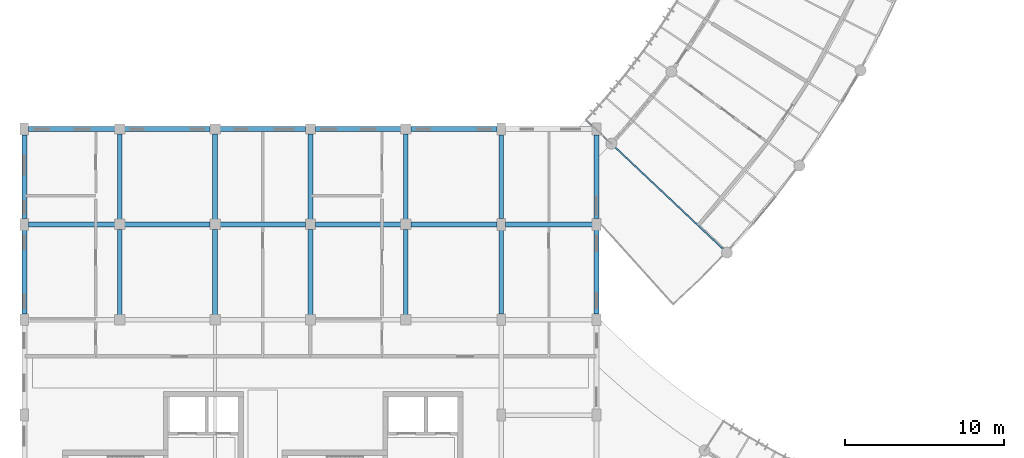
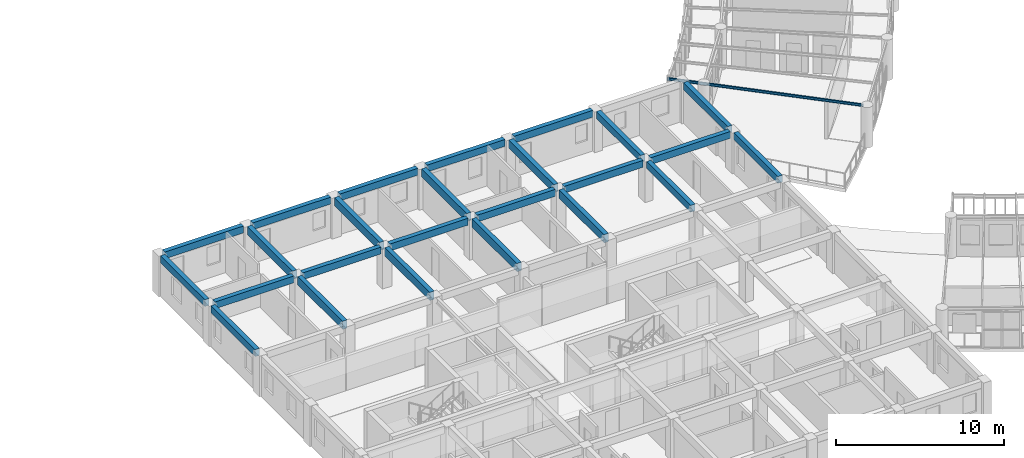
# One storey, part 9 of 123: 26 beams.
"""IFC4 building model written with IfcOpenShell, lengths in metres."""

import ifcopenshell
import ifcopenshell.guid

model = None  # the IFC model being written
_history = None  # IfcOwnerHistory: only IFC2X3 demands one
_inside = {}  # id of a spatial element -> (the spatial element, [elements in it])
_under = {}  # id of a project, library or spatial element -> (it, [spatial elements below it])
_declared = {}  # id of a project -> (the project, [libraries it declares])
_typed = {}  # id of a type object -> (the type object, [elements of that type])
_made_of = {}  # id of a material, layer set ... -> (it, [elements and type objects made of it])


def new_model(schema):
    """Start an empty IFC model of exactly this schema.

    Asked for "IFC4X3", IfcOpenShell would pick the latest addendum, in which some entities
    have other attributes; the version numbers below select the first issue.
    IFC2X3 requires an IfcOwnerHistory on every rooted entity: one is made here for all.
    """
    global model, _history
    if schema == "IFC4X3":
        model = ifcopenshell.file(schema_version=(4, 3, 0, 0))
    else:
        model = ifcopenshell.file(schema=schema)
    _inside.clear()
    _under.clear()
    _declared.clear()
    _typed.clear()
    _made_of.clear()
    _history = None
    if model.schema == "IFC2X3":
        org = make("IfcOrganization", Name="unknown")
        user = make(
            "IfcPersonAndOrganization",
            ThePerson=make("IfcPerson", FamilyName="unknown"),
            TheOrganization=org,
        )
        app = make(
            "IfcApplication",
            ApplicationDeveloper=org,
            Version="unknown",
            ApplicationFullName="unknown",
            ApplicationIdentifier="unknown",
        )
        _history = make(
            "IfcOwnerHistory",
            OwningUser=user,
            OwningApplication=app,
            ChangeAction="ADDED",
            CreationDate=0,
        )
    return model


def make(cls, **values):
    """One entity of the class cls with the attributes given. An attribute that is None is left unset."""
    return model.create_entity(
        cls, **{name: value for name, value in values.items() if value is not None}
    )


def rooted(cls, **values):
    """An entity with a GlobalId (a new one), such as an element, a storey or a relation."""
    return make(cls, GlobalId=ifcopenshell.guid.new(), OwnerHistory=_history, **values)


def si_unit(unit_type, name, prefix=None):
    """IfcSIUnit, for example si_unit("LENGTHUNIT", "METRE", prefix="MILLI")."""
    return make("IfcSIUnit", UnitType=unit_type, Prefix=prefix, Name=name)


def assignment(units):
    """IfcUnitAssignment: the units of a project."""
    return None if units is None else make("IfcUnitAssignment", Units=units)


def point(xyz):
    """IfcCartesianPoint."""
    return None if xyz is None else make("IfcCartesianPoint", Coordinates=xyz)


def direction(xyz):
    """IfcDirection."""
    return None if xyz is None else make("IfcDirection", DirectionRatios=xyz)


def frame(location, z_axis=None, x_axis=None):
    """IfcAxis2Placement3D, a coordinate frame: its origin and axes. An axis left out is left unset."""
    return make(
        "IfcAxis2Placement3D",
        Location=point(location),
        Axis=direction(z_axis),
        RefDirection=direction(x_axis),
    )


def frame_2d(location, x_axis=None):
    """IfcAxis2Placement2D, a coordinate frame in the plane: its origin and x axis."""
    return make(
        "IfcAxis2Placement2D", Location=point(location), RefDirection=direction(x_axis)
    )


def origin():
    """The frame at (0, 0, 0) with its axes left unset."""
    return frame((0.0, 0.0, 0.0))


def origin_2d():
    """The frame at (0, 0) in the plane with its x axis left unset."""
    return frame_2d((0.0, 0.0))


def place(relative_to, where):
    """IfcLocalPlacement: puts the frame where relative to a parent placement (None: the world)."""
    return make(
        "IfcLocalPlacement", PlacementRelTo=relative_to, RelativePlacement=where
    )


def context(
    kind, dimensions, precision=None, world=None, true_north=None, identifier=None
):
    """IfcGeometricRepresentationContext, for example the 3D "Model" context."""
    return make(
        "IfcGeometricRepresentationContext",
        ContextIdentifier=identifier,
        ContextType=kind,
        CoordinateSpaceDimension=dimensions,
        Precision=precision,
        WorldCoordinateSystem=world,
        TrueNorth=true_north,
    )


def subcontext(parent, identifier, kind, view, scale=None):
    """IfcGeometricRepresentationSubContext, for example "Body" below "Model"."""
    return make(
        "IfcGeometricRepresentationSubContext",
        ContextIdentifier=identifier,
        ContextType=kind,
        ParentContext=parent,
        TargetScale=scale,
        TargetView=view,
    )


def project(units=None, contexts=None):
    """IfcProject with its units and contexts."""
    return rooted(
        "IfcProject",
        Name="project",
        RepresentationContexts=contexts,
        UnitsInContext=assignment(units),
    )


def spatial(cls, under=None, at=None, **own):
    """A site, building, storey or space (cls), placed at a placement, below another one or the project."""
    s = rooted(cls, ObjectPlacement=at, **own)
    if under is not None:
        _under.setdefault(under.id(), (under, []))[1].append(s)
    return s


def profile(cls, at=None, kind="AREA", **sizes):
    """A parametric profile (cls). Its sizes go by their IFC names, for example OverallWidth=200.0."""
    return make(cls, ProfileType=kind, Position=at, **sizes)


def rectangle(**sizes):
    """IfcRectangleProfileDef."""
    return profile("IfcRectangleProfileDef", **sizes)


def i_section(**sizes):
    """IfcIShapeProfileDef."""
    return profile("IfcIShapeProfileDef", **sizes)


def extrude(swept, where, along, depth):
    """IfcExtrudedAreaSolid: the profile swept, set in the frame where, extruded along a direction by depth."""
    return make(
        "IfcExtrudedAreaSolid",
        SweptArea=swept,
        Position=where,
        ExtrudedDirection=direction(along),
        Depth=depth,
    )


def shape(context_of_items, identifier, shape_type, items):
    """IfcShapeRepresentation: the items that make up one representation, for example the "Body"."""
    return make(
        "IfcShapeRepresentation",
        ContextOfItems=context_of_items,
        RepresentationIdentifier=identifier,
        RepresentationType=shape_type,
        Items=items,
    )


def material(Name=None, Category=None):
    """IfcMaterial."""
    return make("IfcMaterial", Name=Name, Category=Category)


def material_profile(
    of_material, cross_section, Name=None, Category=None, Priority=None
):
    """IfcMaterialProfile: a cross section and its material."""
    return make(
        "IfcMaterialProfile",
        Name=Name,
        Material=of_material,
        Profile=cross_section,
        Priority=Priority,
        Category=Category,
    )


def profile_set(profiles, Name=None, composite=None):
    """IfcMaterialProfileSet."""
    return make(
        "IfcMaterialProfileSet",
        Name=Name,
        MaterialProfiles=profiles,
        CompositeProfile=composite,
    )


def made_of(thing, what):
    """Note that an element or type object is made of a material, layer set ...; save() writes the relation."""
    if what is not None:
        _made_of.setdefault(what.id(), (what, []))[1].append(thing)
    return thing


def type_object(cls, material=None, **own):
    """A type object (cls), such as IfcWallType, which elements share."""
    return made_of(rooted(cls, **own), material)


def element(
    cls,
    number,
    at=None,
    inside=None,
    cuts=None,
    type_object=None,
    material=None,
    context=None,
    identifier="Body",
    shape_type=None,
    held_by="IfcProductDefinitionShape",
    body=None,
    shapes=None,
    **own,
):
    """One element of the class cls, such as IfcWall. Its Tag is "e" and its number.

    at: its placement. inside: the storey or other place that contains it. cuts: it is an
    opening in that element (IfcRelVoidsElement). A single representation is given by context,
    identifier, shape_type and body (its items); several are given by shapes. held_by: the class
    of the entity that holds the representations. save() writes the other relations.
    """
    e = rooted(cls, Tag="e%d" % number, ObjectPlacement=at, **own)
    if body is not None:
        shapes = [shape(context, identifier, shape_type, body)]
    if shapes is not None:
        e.Representation = make(held_by, Representations=shapes)
    if inside is not None:
        _inside.setdefault(inside.id(), (inside, []))[1].append(e)
    if cuts is not None:
        rooted(
            "IfcRelVoidsElement", RelatingBuildingElement=cuts, RelatedOpeningElement=e
        )
    if type_object is not None:
        _typed.setdefault(type_object.id(), (type_object, []))[1].append(e)
    return made_of(e, material)


def aggregate(whole, parts):
    """IfcRelAggregates: a whole, such as a stair, and the parts it consists of."""
    return rooted("IfcRelAggregates", RelatingObject=whole, RelatedObjects=parts)


def save(model, path):
    """Write the relations noted so far, then the file.

    IfcRelAggregates (storeys below a building ...), IfcRelContainedInSpatialStructure (elements
    in a storey), IfcRelDefinesByType, IfcRelAssociatesMaterial and IfcRelDeclares: one each for
    every whole, place, type object, material and project.
    """
    for whole, parts in _under.values():
        aggregate(whole, parts)
    for where, things in _inside.values():
        rooted(
            "IfcRelContainedInSpatialStructure",
            RelatedElements=things,
            RelatingStructure=where,
        )
    for kind, things in _typed.values():
        rooted("IfcRelDefinesByType", RelatedObjects=things, RelatingType=kind)
    for what, things in _made_of.values():
        rooted("IfcRelAssociatesMaterial", RelatedObjects=things, RelatingMaterial=what)
    for by, libraries in _declared.values():
        rooted("IfcRelDeclares", RelatingContext=by, RelatedDefinitions=libraries)
    model.write(path)


model = new_model("IFC4")

# Units and contexts
model_context = context("Model", 3, precision=1e-05, world=origin(), true_north=direction((0.0, 1.0)))
body_context = subcontext(model_context, "Body", "Model", "MODEL_VIEW")
ifc_project = project(units=[si_unit("LENGTHUNIT", "METRE"), si_unit("AREAUNIT", "SQUARE_METRE"), si_unit("VOLUMEUNIT", "CUBIC_METRE"), si_unit("PLANEANGLEUNIT", "RADIAN"), si_unit("MASSUNIT", "GRAM", prefix="KILO"), si_unit("POWERUNIT", "WATT"), si_unit("THERMODYNAMICTEMPERATUREUNIT", "KELVIN")], contexts=[model_context])

# Site, building, storey
site_placement = place(None, origin())
site = spatial("IfcSite", under=ifc_project, at=site_placement, CompositionType="ELEMENT")
building_placement = place(site_placement, origin())
building = spatial("IfcBuilding", under=site, at=building_placement, Name="Ruvembo Vaulted Housing Court", CompositionType="ELEMENT")
storey_placement = place(building_placement, frame((0.0, 0.0, 7.699951171875)))
storey = spatial("IfcBuildingStorey", under=building, at=storey_placement, Name="L02", CompositionType="ELEMENT", Elevation=7.699951171875)

# Beams
ifc_material_1 = material(Name="Concrete C35/45", Category="concrete")
ifc_material_profile_1 = material_profile(ifc_material_1, rectangle(XDim=0.300048828125, YDim=0.60009765625, at=origin_2d()), Name="RC 300x600")
ifc_profile_set_1 = profile_set([ifc_material_profile_1], Name="Concrete C35/45")
beam_type_1 = type_object("IfcBeamType", Name="BM-RC-300x600", PredefinedType="BEAM", material=ifc_profile_set_1)
for number, where, z_axis, x_axis, name in (
    (1, (6.0, 30.31005859375, 2.655029296875), (0.0, 1.0, 0.0), (-1.0, 0.0, 0.0), "L02 Grid Beam Y #1577"),
    (2, (6.0, 36.31005859375, 2.655029296875), (0.0, 1.0, 0.0), (-1.0, 0.0, 0.0), "L02 Grid Beam Y #1578"),
    (3, (12.0, 30.31005859375, 2.655029296875), (0.0, 1.0, 0.0), (-1.0, 0.0, 0.0), "L02 Grid Beam Y #1582"),
    (4, (12.0, 36.31005859375, 2.655029296875), (0.0, 1.0, 0.0), (-1.0, 0.0, 0.0), "L02 Grid Beam Y #1583"),
    (5, (18.0, 30.31005859375, 2.655029296875), (0.0, 1.0, 0.0), (-1.0, 0.0, 0.0), "L02 Grid Beam Y #1586"),
    (6, (18.0, 36.31005859375, 2.655029296875), (0.0, 1.0, 0.0), (-1.0, 0.0, 0.0), "L02 Grid Beam Y #1587"),
    (7, (24.0, 30.31005859375, 2.655029296875), (0.0, 1.0, 0.0), (-1.0, 0.0, 0.0), "L02 Grid Beam Y #1590"),
    (8, (24.0, 36.31005859375, 2.655029296875), (0.0, 1.0, 0.0), (-1.0, 0.0, 0.0), "L02 Grid Beam Y #1591"),
):
    element("IfcBeam", number, at=place(storey_placement, frame(where, z_axis=z_axis, x_axis=x_axis)), inside=storey, type_object=beam_type_1, Name=name, PredefinedType="BEAM", context=body_context, shape_type="SweptSolid", body=[
        extrude(rectangle(XDim=0.300048828125, YDim=0.60009765625, at=origin_2d()), origin(), (0.0, 0.0, 1.0), 5.3798828125),
    ])
ifc_material_2 = material(Name="Steel S355J2", Category="steel")
ifc_material_profile_2 = material_profile(ifc_material_2, i_section(OverallWidth=0.091064453125, OverallDepth=0.179931640625, WebThickness=0.00537109375, FlangeThickness=0.008056640625, FilletRadius=0.009033203125, at=origin_2d()), Name="IPE 180")
ifc_profile_set_2 = profile_set([ifc_material_profile_2], Name="Steel S355J2")
beam_type_2 = type_object("IfcBeamType", Name="BM-ST-IPE180", PredefinedType="JOIST", material=ifc_profile_set_2)
beam_1_placement = place(storey_placement, frame((44.040283203125, 34.377197265625, 2.85009765625), z_axis=(-0.727715212014, 0.685879413748, 0.0), x_axis=(-0.685879413748, -0.727715212014, 0.0)))
element("IfcBeam", 9, at=beam_1_placement, inside=storey, type_object=beam_type_2, Name="Scoop SC1 L02 Radial Steel Joist 0", PredefinedType="JOIST", context=body_context, shape_type="SweptSolid", body=[
    extrude(i_section(OverallWidth=0.091064453125, OverallDepth=0.179931640625, WebThickness=0.00537109375, FlangeThickness=0.008056640625, FilletRadius=0.009033203125, at=origin_2d()), origin(), (0.0, 0.0, 1.0), 12.009765625),
])
ifc_material_profile_3 = material_profile(ifc_material_1, rectangle(XDim=0.300048828125, YDim=0.5, at=origin_2d()), Name="RC 300x500")
ifc_profile_set_3 = profile_set([ifc_material_profile_3], Name="Concrete C35/45")
beam_type_3 = type_object("IfcBeamType", Name="SP-RC-300x500", PredefinedType="SPANDREL", material=ifc_profile_set_3)
beam_2_placement = place(storey_placement, frame((0.260009765625, 36.0, 2.705078125), z_axis=(1.0, 0.0, 0.0), x_axis=(0.0, 1.0, 0.0)))
element("IfcBeam", 10, at=beam_2_placement, inside=storey, type_object=beam_type_3, Name="L02 Grid Beam X #1477", PredefinedType="SPANDREL", context=body_context, shape_type="SweptSolid", body=[
    extrude(rectangle(XDim=0.300048828125, YDim=0.5, at=origin_2d()), origin(), (0.0, 0.0, 1.0), 5.429931640625),
])
for number, where, z_axis, x_axis, name in (
    (11, (6.31005859375, 36.0, 2.705078125), (1.0, 0.0, 0.0), (0.0, 1.0, 0.0), "L02 Grid Beam X #1478"),
    (12, (12.31005859375, 36.0, 2.705078125), (1.0, 0.0, 0.0), (0.0, 1.0, 0.0), "L02 Grid Beam X #1479"),
    (13, (18.31005859375, 36.0, 2.705078125), (1.0, 0.0, 0.0), (0.0, 1.0, 0.0), "L02 Grid Beam X #1480"),
):
    element("IfcBeam", number, at=place(storey_placement, frame(where, z_axis=z_axis, x_axis=x_axis)), inside=storey, type_object=beam_type_3, Name=name, PredefinedType="SPANDREL", context=body_context, shape_type="SweptSolid", body=[
        extrude(rectangle(XDim=0.300048828125, YDim=0.5, at=origin_2d()), origin(), (0.0, 0.0, 1.0), 5.3798828125),
    ])
beam_3_placement = place(storey_placement, frame((24.31005859375, 36.0, 2.705078125), z_axis=(1.0, 0.0, 0.0), x_axis=(0.0, 1.0, 0.0)))
element("IfcBeam", 14, at=beam_3_placement, inside=storey, type_object=beam_type_3, Name="L02 Grid Beam X #1481", PredefinedType="SPANDREL", context=body_context, shape_type="SweptSolid", body=[
    extrude(rectangle(XDim=0.300048828125, YDim=0.5, at=origin_2d()), origin(), (0.0, 0.0, 1.0), 5.429931640625),
])
beam_4_placement = place(storey_placement, frame((30.260009765625, 36.0, 2.705078125), z_axis=(1.0, 0.0, 0.0), x_axis=(0.0, 1.0, 0.0)))
element("IfcBeam", 15, at=beam_4_placement, inside=storey, type_object=beam_type_3, Name="L02 Grid Beam X #1482", PredefinedType="SPANDREL", context=body_context, shape_type="SweptSolid", body=[
    extrude(rectangle(XDim=0.300048828125, YDim=0.5, at=origin_2d()), origin(), (0.0, 0.0, 1.0), 5.47998046875),
])
beam_5_placement = place(storey_placement, frame((0.260009765625, 42.0, 2.705078125), z_axis=(1.0, 0.0, 0.0), x_axis=(0.0, 1.0, 0.0)))
element("IfcBeam", 16, at=beam_5_placement, inside=storey, type_object=beam_type_3, Name="L02 Grid Beam X #1489", PredefinedType="SPANDREL", context=body_context, shape_type="SweptSolid", body=[
    extrude(rectangle(XDim=0.300048828125, YDim=0.5, at=origin_2d()), origin(), (0.0, 0.0, 1.0), 5.429931640625),
])
for number, where, z_axis, x_axis, name in (
    (17, (6.31005859375, 42.0, 2.705078125), (1.0, 0.0, 0.0), (0.0, 1.0, 0.0), "L02 Grid Beam X #1490"),
    (18, (12.31005859375, 42.0, 2.705078125), (1.0, 0.0, 0.0), (0.0, 1.0, 0.0), "L02 Grid Beam X #1491"),
    (19, (18.31005859375, 42.0, 2.705078125), (1.0, 0.0, 0.0), (0.0, 1.0, 0.0), "L02 Grid Beam X #1492"),
):
    element("IfcBeam", number, at=place(storey_placement, frame(where, z_axis=z_axis, x_axis=x_axis)), inside=storey, type_object=beam_type_3, Name=name, PredefinedType="SPANDREL", context=body_context, shape_type="SweptSolid", body=[
        extrude(rectangle(XDim=0.300048828125, YDim=0.5, at=origin_2d()), origin(), (0.0, 0.0, 1.0), 5.3798828125),
    ])
beam_6_placement = place(storey_placement, frame((24.31005859375, 42.0, 2.705078125), z_axis=(1.0, 0.0, 0.0), x_axis=(0.0, 1.0, 0.0)))
element("IfcBeam", 20, at=beam_6_placement, inside=storey, type_object=beam_type_3, Name="L02 Grid Beam X #1493", PredefinedType="SPANDREL", context=body_context, shape_type="SweptSolid", body=[
    extrude(rectangle(XDim=0.300048828125, YDim=0.5, at=origin_2d()), origin(), (0.0, 0.0, 1.0), 5.429931640625),
])
for number, where, z_axis, x_axis, name in (
    (21, (0.0, 30.360107421875, 2.705078125), (0.0, 1.0, 0.0), (-1.0, 0.0, 0.0), "L02 Grid Beam Y #1573"),
    (22, (0.0, 36.360107421875, 2.705078125), (0.0, 1.0, 0.0), (-1.0, 0.0, 0.0), "L02 Grid Beam Y #1574"),
    (23, (30.0, 30.360107421875, 2.705078125), (0.0, 1.0, 0.0), (-1.0, 0.0, 0.0), "L02 Grid Beam Y #1596"),
    (24, (30.0, 36.360107421875, 2.705078125), (0.0, 1.0, 0.0), (-1.0, 0.0, 0.0), "L02 Grid Beam Y #1597"),
    (25, (36.0, 30.360107421875, 2.705078125), (0.0, 1.0, 0.0), (-1.0, 0.0, 0.0), "L02 Grid Beam Y #1602"),
    (26, (36.0, 36.360107421875, 2.705078125), (0.0, 1.0, 0.0), (-1.0, 0.0, 0.0), "L02 Grid Beam Y #1603"),
):
    element("IfcBeam", number, at=place(storey_placement, frame(where, z_axis=z_axis, x_axis=x_axis)), inside=storey, type_object=beam_type_3, Name=name, PredefinedType="SPANDREL", context=body_context, shape_type="SweptSolid", body=[
        extrude(rectangle(XDim=0.300048828125, YDim=0.5, at=origin_2d()), origin(), (0.0, 0.0, 1.0), 5.27978515625),
    ])

save(model, "model.ifc")
